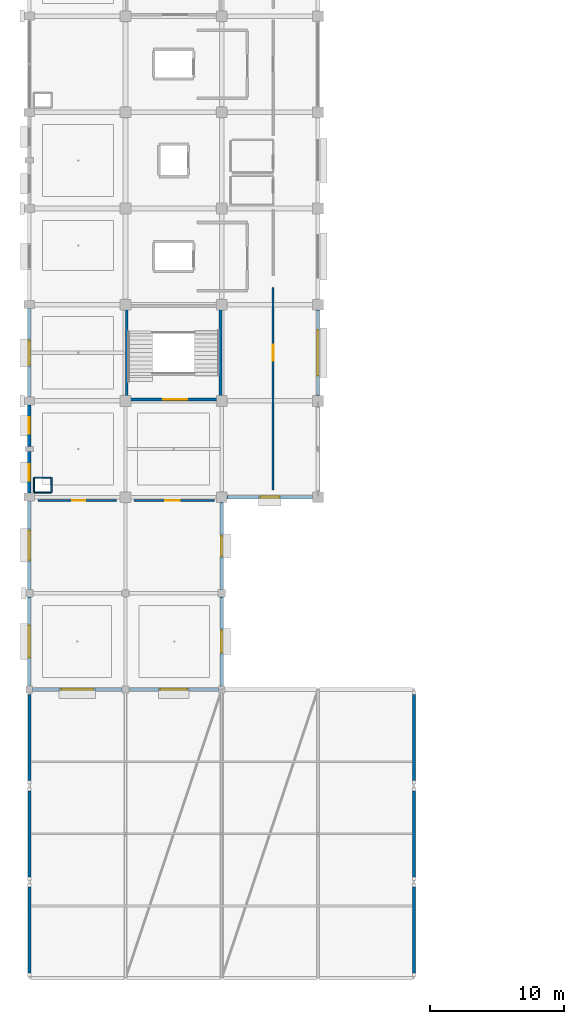
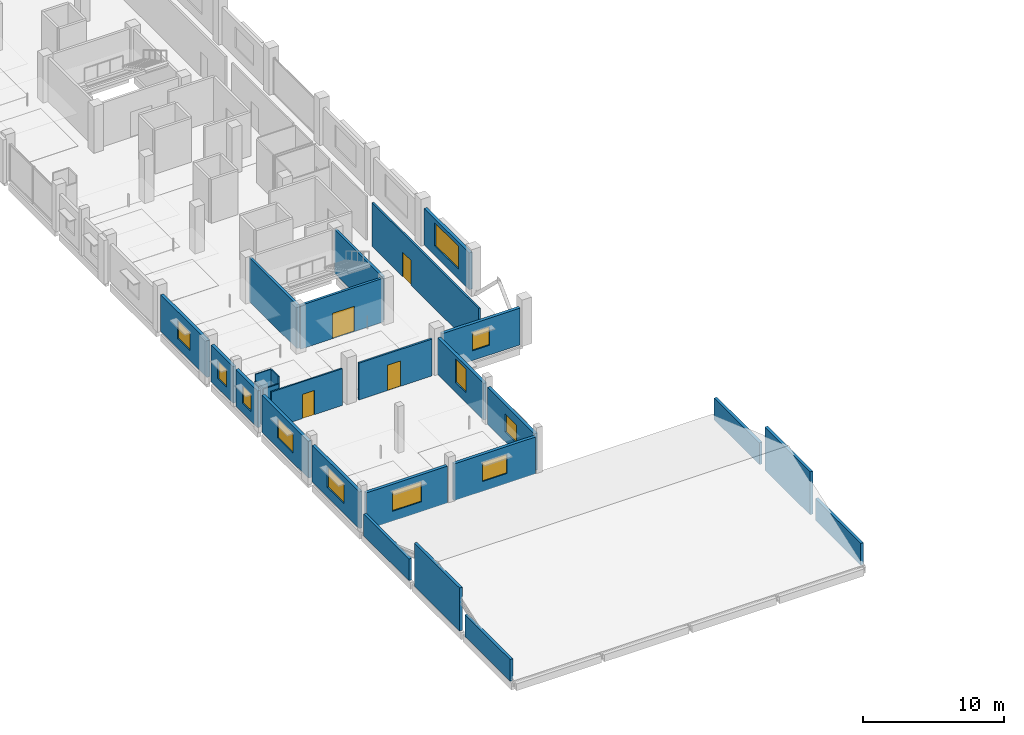
# One storey, part 79 of 108: 27 walls, 11 windows, 4 doors, 15 openings.
"""IFC4 building model written with IfcOpenShell, lengths in metres."""

import ifcopenshell
import ifcopenshell.guid

model = None  # the IFC model being written
_history = None  # IfcOwnerHistory: only IFC2X3 demands one
_inside = {}  # id of a spatial element -> (the spatial element, [elements in it])
_under = {}  # id of a project, library or spatial element -> (it, [spatial elements below it])
_declared = {}  # id of a project -> (the project, [libraries it declares])
_typed = {}  # id of a type object -> (the type object, [elements of that type])
_made_of = {}  # id of a material, layer set ... -> (it, [elements and type objects made of it])


def new_model(schema):
    """Start an empty IFC model of exactly this schema.

    Asked for "IFC4X3", IfcOpenShell would pick the latest addendum, in which some entities
    have other attributes; the version numbers below select the first issue.
    IFC2X3 requires an IfcOwnerHistory on every rooted entity: one is made here for all.
    """
    global model, _history
    if schema == "IFC4X3":
        model = ifcopenshell.file(schema_version=(4, 3, 0, 0))
    else:
        model = ifcopenshell.file(schema=schema)
    _inside.clear()
    _under.clear()
    _declared.clear()
    _typed.clear()
    _made_of.clear()
    _history = None
    if model.schema == "IFC2X3":
        org = make("IfcOrganization", Name="unknown")
        user = make(
            "IfcPersonAndOrganization",
            ThePerson=make("IfcPerson", FamilyName="unknown"),
            TheOrganization=org,
        )
        app = make(
            "IfcApplication",
            ApplicationDeveloper=org,
            Version="unknown",
            ApplicationFullName="unknown",
            ApplicationIdentifier="unknown",
        )
        _history = make(
            "IfcOwnerHistory",
            OwningUser=user,
            OwningApplication=app,
            ChangeAction="ADDED",
            CreationDate=0,
        )
    return model


def make(cls, **values):
    """One entity of the class cls with the attributes given. An attribute that is None is left unset."""
    return model.create_entity(
        cls, **{name: value for name, value in values.items() if value is not None}
    )


def rooted(cls, **values):
    """An entity with a GlobalId (a new one), such as an element, a storey or a relation."""
    return make(cls, GlobalId=ifcopenshell.guid.new(), OwnerHistory=_history, **values)


def si_unit(unit_type, name, prefix=None):
    """IfcSIUnit, for example si_unit("LENGTHUNIT", "METRE", prefix="MILLI")."""
    return make("IfcSIUnit", UnitType=unit_type, Prefix=prefix, Name=name)


def assignment(units):
    """IfcUnitAssignment: the units of a project."""
    return None if units is None else make("IfcUnitAssignment", Units=units)


def point(xyz):
    """IfcCartesianPoint."""
    return None if xyz is None else make("IfcCartesianPoint", Coordinates=xyz)


def direction(xyz):
    """IfcDirection."""
    return None if xyz is None else make("IfcDirection", DirectionRatios=xyz)


def frame(location, z_axis=None, x_axis=None):
    """IfcAxis2Placement3D, a coordinate frame: its origin and axes. An axis left out is left unset."""
    return make(
        "IfcAxis2Placement3D",
        Location=point(location),
        Axis=direction(z_axis),
        RefDirection=direction(x_axis),
    )


def frame_2d(location, x_axis=None):
    """IfcAxis2Placement2D, a coordinate frame in the plane: its origin and x axis."""
    return make(
        "IfcAxis2Placement2D", Location=point(location), RefDirection=direction(x_axis)
    )


def origin():
    """The frame at (0, 0, 0) with its axes left unset."""
    return frame((0.0, 0.0, 0.0))


def place(relative_to, where):
    """IfcLocalPlacement: puts the frame where relative to a parent placement (None: the world)."""
    return make(
        "IfcLocalPlacement", PlacementRelTo=relative_to, RelativePlacement=where
    )


def context(
    kind, dimensions, precision=None, world=None, true_north=None, identifier=None
):
    """IfcGeometricRepresentationContext, for example the 3D "Model" context."""
    return make(
        "IfcGeometricRepresentationContext",
        ContextIdentifier=identifier,
        ContextType=kind,
        CoordinateSpaceDimension=dimensions,
        Precision=precision,
        WorldCoordinateSystem=world,
        TrueNorth=true_north,
    )


def subcontext(parent, identifier, kind, view, scale=None):
    """IfcGeometricRepresentationSubContext, for example "Body" below "Model"."""
    return make(
        "IfcGeometricRepresentationSubContext",
        ContextIdentifier=identifier,
        ContextType=kind,
        ParentContext=parent,
        TargetScale=scale,
        TargetView=view,
    )


def project(units=None, contexts=None):
    """IfcProject with its units and contexts."""
    return rooted(
        "IfcProject",
        Name="project",
        RepresentationContexts=contexts,
        UnitsInContext=assignment(units),
    )


def spatial(cls, under=None, at=None, **own):
    """A site, building, storey or space (cls), placed at a placement, below another one or the project."""
    s = rooted(cls, ObjectPlacement=at, **own)
    if under is not None:
        _under.setdefault(under.id(), (under, []))[1].append(s)
    return s


def profile(cls, at=None, kind="AREA", **sizes):
    """A parametric profile (cls). Its sizes go by their IFC names, for example OverallWidth=200.0."""
    return make(cls, ProfileType=kind, Position=at, **sizes)


def rectangle(**sizes):
    """IfcRectangleProfileDef."""
    return profile("IfcRectangleProfileDef", **sizes)


def extrude(swept, where, along, depth):
    """IfcExtrudedAreaSolid: the profile swept, set in the frame where, extruded along a direction by depth."""
    return make(
        "IfcExtrudedAreaSolid",
        SweptArea=swept,
        Position=where,
        ExtrudedDirection=direction(along),
        Depth=depth,
    )


def shape(context_of_items, identifier, shape_type, items):
    """IfcShapeRepresentation: the items that make up one representation, for example the "Body"."""
    return make(
        "IfcShapeRepresentation",
        ContextOfItems=context_of_items,
        RepresentationIdentifier=identifier,
        RepresentationType=shape_type,
        Items=items,
    )


def material(Name=None, Category=None):
    """IfcMaterial."""
    return make("IfcMaterial", Name=Name, Category=Category)


def layer(
    of_material, thickness, ventilated=None, Name=None, Category=None, Priority=None
):
    """IfcMaterialLayer: one layer of a wall or slab, of a material (None: an air gap)."""
    return make(
        "IfcMaterialLayer",
        Material=of_material,
        LayerThickness=thickness,
        IsVentilated=ventilated,
        Name=Name,
        Category=Category,
        Priority=Priority,
    )


def layer_set(layers, Name=None):
    """IfcMaterialLayerSet."""
    return make("IfcMaterialLayerSet", MaterialLayers=layers, LayerSetName=Name)


def made_of(thing, what):
    """Note that an element or type object is made of a material, layer set ...; save() writes the relation."""
    if what is not None:
        _made_of.setdefault(what.id(), (what, []))[1].append(thing)
    return thing


def type_object(cls, material=None, **own):
    """A type object (cls), such as IfcWallType, which elements share."""
    return made_of(rooted(cls, **own), material)


def element(
    cls,
    number,
    at=None,
    inside=None,
    cuts=None,
    type_object=None,
    material=None,
    context=None,
    identifier="Body",
    shape_type=None,
    held_by="IfcProductDefinitionShape",
    body=None,
    shapes=None,
    **own,
):
    """One element of the class cls, such as IfcWall. Its Tag is "e" and its number.

    at: its placement. inside: the storey or other place that contains it. cuts: it is an
    opening in that element (IfcRelVoidsElement). A single representation is given by context,
    identifier, shape_type and body (its items); several are given by shapes. held_by: the class
    of the entity that holds the representations. save() writes the other relations.
    """
    e = rooted(cls, Tag="e%d" % number, ObjectPlacement=at, **own)
    if body is not None:
        shapes = [shape(context, identifier, shape_type, body)]
    if shapes is not None:
        e.Representation = make(held_by, Representations=shapes)
    if inside is not None:
        _inside.setdefault(inside.id(), (inside, []))[1].append(e)
    if cuts is not None:
        rooted(
            "IfcRelVoidsElement", RelatingBuildingElement=cuts, RelatedOpeningElement=e
        )
    if type_object is not None:
        _typed.setdefault(type_object.id(), (type_object, []))[1].append(e)
    return made_of(e, material)


def fill(opening, filler):
    """IfcRelFillsElement: the door or window that sits in an opening."""
    return rooted(
        "IfcRelFillsElement",
        RelatingOpeningElement=opening,
        RelatedBuildingElement=filler,
    )


def aggregate(whole, parts):
    """IfcRelAggregates: a whole, such as a stair, and the parts it consists of."""
    return rooted("IfcRelAggregates", RelatingObject=whole, RelatedObjects=parts)


def save(model, path):
    """Write the relations noted so far, then the file.

    IfcRelAggregates (storeys below a building ...), IfcRelContainedInSpatialStructure (elements
    in a storey), IfcRelDefinesByType, IfcRelAssociatesMaterial and IfcRelDeclares: one each for
    every whole, place, type object, material and project.
    """
    for whole, parts in _under.values():
        aggregate(whole, parts)
    for where, things in _inside.values():
        rooted(
            "IfcRelContainedInSpatialStructure",
            RelatedElements=things,
            RelatingStructure=where,
        )
    for kind, things in _typed.values():
        rooted("IfcRelDefinesByType", RelatedObjects=things, RelatingType=kind)
    for what, things in _made_of.values():
        rooted("IfcRelAssociatesMaterial", RelatedObjects=things, RelatingMaterial=what)
    for by, libraries in _declared.values():
        rooted("IfcRelDeclares", RelatingContext=by, RelatedDefinitions=libraries)
    model.write(path)


model = new_model("IFC4")

# Units and contexts
model_context = context("Model", 3, precision=1e-05, world=origin(), true_north=direction((0.0, 1.0)))
body_context = subcontext(model_context, "Body", "Model", "MODEL_VIEW")
ifc_project = project(units=[si_unit("LENGTHUNIT", "METRE"), si_unit("AREAUNIT", "SQUARE_METRE"), si_unit("VOLUMEUNIT", "CUBIC_METRE"), si_unit("PLANEANGLEUNIT", "RADIAN"), si_unit("MASSUNIT", "GRAM", prefix="KILO")], contexts=[model_context])

# Site, building, storey
site_placement = place(None, origin())
site = spatial("IfcSite", under=ifc_project, at=site_placement, CompositionType="ELEMENT")
building_placement = place(site_placement, origin())
building = spatial("IfcBuilding", under=site, at=building_placement, Name="Kangsadwip Square Police Headquarters", CompositionType="ELEMENT")
storey_placement = place(building_placement, frame((0.0, 0.0, 9.449951171875)))
storey = spatial("IfcBuildingStorey", under=building, at=storey_placement, Name="L02", CompositionType="ELEMENT", Elevation=9.449951171875)

# Wall, opening, door
ifc_material_1 = material(Name="Fire-rated double gypsum board acoustic stud partition", Category="masonry")
ifc_layer_1 = layer(ifc_material_1, 0.1201171875)
ifc_layer_set_1 = layer_set([ifc_layer_1], Name="Fire-rated double gypsum board acoustic stud partition")
wall_type_1 = type_object("IfcWallType", Name="AcousticPartition120", PredefinedType="PARTITIONING", material=ifc_layer_set_1)
wall_1_placement = place(storey_placement, frame((0.64990234375, 35.75, 0.0), z_axis=(0.0, 0.0, 1.0), x_axis=(1.0, 0.0, 0.0)))
wall_1 = element("IfcWall", 1, at=wall_1_placement, inside=storey, type_object=wall_type_1, Name="Interior Wall WI-L02-0783", PredefinedType="PARTITIONING", context=body_context, shape_type="SweptSolid", body=[
    extrude(rectangle(XDim=5.85009765625, YDim=0.1201171875, at=frame_2d((2.925048828125, 0.0))), origin(), (0.0, 0.0, 1.0), 3.199951171875),
])
opening_1_placement = place(wall_1_placement, frame((2.56396484375, 0.0, 0.0)))
opening_1 = element("IfcOpeningElement", 2, at=opening_1_placement, cuts=wall_1, Name="Opening ID-09A", PredefinedType="OPENING", context=body_context, shape_type="SweptSolid", body=[
    extrude(rectangle(XDim=0.97998046875, YDim=2.10009765625, at=frame_2d((0.489990234375, 1.050048828125))), frame((0.0, 0.070068359375, 0.0), z_axis=(0.0, -1.0, 0.0), x_axis=(1.0, 0.0, 0.0)), (0.0, 0.0, 1.0), 0.14013671875),
])
ifc_material_2 = material(Name="Solid-core seasoned teak hardwood architectural door", Category="wood")
door_type_1 = type_object("IfcDoorType", Name="OfficeDoor980x2100", OperationType="NOTDEFINED", PredefinedType="DOOR", material=ifc_material_2)
door_1_placement = place(opening_1_placement, origin())
door_1 = element("IfcDoor", 3, at=door_1_placement, inside=storey, type_object=door_type_1, Name="Interior Door ID-L02-0194", OperationType="SINGLE_SWING_RIGHT", OverallHeight=2.10009765625, OverallWidth=0.97998046875, PredefinedType="DOOR", context=body_context, shape_type="SweptSolid", body=[
    extrude(rectangle(XDim=0.97998046875, YDim=2.10009765625, at=frame_2d((0.489990234375, 1.050048828125))), frame((0.0, 0.02490234375, 0.0), z_axis=(0.0, -1.0, 0.0), x_axis=(1.0, 0.0, 0.0)), (0.0, 0.0, 1.0), 0.050048828125),
])
fill(opening_1, door_1)

ifc_material_3 = material(Name="Autoclaved aerated concrete blockwork masonry", Category="masonry")
ifc_layer_2 = layer(ifc_material_3, 0.14990234375)
ifc_layer_set_2 = layer_set([ifc_layer_2], Name="Autoclaved aerated concrete blockwork masonry")
wall_type_2 = type_object("IfcWallType", Name="BlockPartition150", PredefinedType="PARTITIONING", material=ifc_layer_set_2)
wall_2_placement = place(storey_placement, frame((18.25, 36.550048828125, 0.0), z_axis=(0.0, 0.0, 1.0), x_axis=(0.0, 1.0, 0.0)))
wall_2 = element("IfcWall", 4, at=wall_2_placement, inside=storey, type_object=wall_type_2, Name="Interior Wall WI-L02-0779", PredefinedType="PARTITIONING", context=body_context, shape_type="SweptSolid", body=[
    extrude(rectangle(XDim=15.14990234375, YDim=0.14990234375, at=frame_2d((7.574951171875, 0.0))), origin(), (0.0, 0.0, 1.0), 3.81005859375),
])
opening_2_placement = place(wall_2_placement, frame((9.639892578125, 0.0, 0.0)))
opening_2 = element("IfcOpeningElement", 5, at=opening_2_placement, cuts=wall_2, Name="Opening ID-12B", PredefinedType="OPENING", context=body_context, shape_type="SweptSolid", body=[
    extrude(rectangle(XDim=1.199951171875, YDim=2.14990234375, at=frame_2d((0.60009765625, 1.074951171875))), frame((0.0, 0.0849609375, 0.0), z_axis=(0.0, -1.0, 0.0), x_axis=(1.0, 0.0, 0.0)), (0.0, 0.0, 1.0), 0.169921875),
])
ifc_material_4 = material(Name="Solid-core seasoned teak hardwood architectural door", Category="wood")
door_type_2 = type_object("IfcDoorType", Name="ClinicDoor1200x2150", OperationType="NOTDEFINED", PredefinedType="DOOR", material=ifc_material_4)
door_2_placement = place(opening_2_placement, origin())
door_2 = element("IfcDoor", 6, at=door_2_placement, inside=storey, type_object=door_type_2, Name="Interior Door ID-L02-0191", OperationType="SINGLE_SWING_LEFT", OverallHeight=2.14990234375, OverallWidth=1.199951171875, PredefinedType="DOOR", context=body_context, shape_type="SweptSolid", body=[
    extrude(rectangle(XDim=1.199951171875, YDim=2.14990234375, at=frame_2d((0.60009765625, 1.074951171875))), frame((0.0, 0.02490234375, 0.0), z_axis=(0.0, -1.0, 0.0), x_axis=(1.0, 0.0, 0.0)), (0.0, 0.0, 1.0), 0.050048828125),
])
fill(opening_2, door_2)

wall_3_placement = place(storey_placement, frame((7.85009765625, 35.75, 0.0), z_axis=(0.0, 0.0, 1.0), x_axis=(1.0, 0.0, 0.0)))
wall_3 = element("IfcWall", 7, at=wall_3_placement, inside=storey, type_object=wall_type_2, Name="Interior Wall WI-L02-0784", PredefinedType="PARTITIONING", context=body_context, shape_type="SweptSolid", body=[
    extrude(rectangle(XDim=6.0, YDim=0.14990234375, at=frame_2d((3.0, 0.0))), origin(), (0.0, 0.0, 1.0), 3.199951171875),
])
opening_3_placement = place(wall_3_placement, frame((2.321044921875, 0.0, 0.0)))
opening_3 = element("IfcOpeningElement", 8, at=opening_3_placement, cuts=wall_3, Name="Opening FD-11A", PredefinedType="OPENING", context=body_context, shape_type="SweptSolid", body=[
    extrude(rectangle(XDim=1.10009765625, YDim=2.199951171875, at=frame_2d((0.550048828125, 1.10009765625))), frame((0.0, 0.0849609375, 0.0), z_axis=(0.0, -1.0, 0.0), x_axis=(1.0, 0.0, 0.0)), (0.0, 0.0, 1.0), 0.169921875),
])
ifc_material_5 = material(Name="Insulated galvanized steel fire-rated door assembly", Category="steel")
door_type_3 = type_object("IfcDoorType", Name="LabSingleDoor1100x2200", OperationType="NOTDEFINED", PredefinedType="DOOR", material=ifc_material_5)
door_3_placement = place(opening_3_placement, origin())
door_3 = element("IfcDoor", 9, at=door_3_placement, inside=storey, type_object=door_type_3, Name="Interior Door ID-L02-0195", OperationType="SINGLE_SWING_LEFT", OverallHeight=2.199951171875, OverallWidth=1.10009765625, PredefinedType="DOOR", context=body_context, shape_type="SweptSolid", body=[
    extrude(rectangle(XDim=1.10009765625, YDim=2.199951171875, at=frame_2d((0.550048828125, 1.10009765625))), frame((0.0, 0.02490234375, 0.0), z_axis=(0.0, -1.0, 0.0), x_axis=(1.0, 0.0, 0.0)), (0.0, 0.0, 1.0), 0.050048828125),
])
fill(opening_3, door_3)

# Wall, opening, window
ifc_material_6 = material(Name="Glazed architectural terracotta masonry rainscreen", Category="masonry")
ifc_layer_3 = layer(ifc_material_6, 0.25)
ifc_layer_set_3 = layer_set([ifc_layer_3], Name="Glazed architectural terracotta masonry rainscreen")
wall_type_3 = type_object("IfcWallType", Name="ChicagoTerracottaWall250", PredefinedType="SOLIDWALL", material=ifc_layer_set_3)
wall_4_placement = place(storey_placement, frame((0.2451171875, 21.60009765625, 0.0), z_axis=(0.0, 0.0, 1.0), x_axis=(1.0, 0.0, 0.0)))
wall_4 = element("IfcWall", 10, at=wall_4_placement, inside=storey, type_object=wall_type_3, Name="Exterior Wall WE-L02-293", PredefinedType="SOLIDWALL", context=body_context, shape_type="SweptSolid", body=[
    extrude(rectangle(XDim=6.684814453125, YDim=0.25, at=frame_2d((3.34228515625, 0.0))), origin(), (0.0, 0.0, 1.0), 3.195068359375),
])
opening_4_placement = place(wall_4_placement, frame((2.142578125, 0.0, 0.85009765625)))
opening_4 = element("IfcOpeningElement", 11, at=opening_4_placement, cuts=wall_4, Name="Opening WN-07", PredefinedType="OPENING", context=body_context, shape_type="SweptSolid", body=[
    extrude(rectangle(XDim=2.39990234375, YDim=1.75, at=frame_2d((1.199951171875, 0.875))), frame((0.0, 0.135009765625, 0.0), z_axis=(0.0, -1.0, 0.0), x_axis=(1.0, 0.0, 0.0)), (0.0, 0.0, 1.0), 0.27001953125),
])
ifc_material_7 = material(Name="Double-glazed solar-control low-E safety glass", Category="glass")
window_type_1 = type_object("IfcWindowType", Name="ChicagoDoubleMullWin2400x1750", PartitioningType="DOUBLE_PANEL_VERTICAL", PredefinedType="WINDOW", material=ifc_material_7)
window_1_placement = place(opening_4_placement, origin())
window_1 = element("IfcWindow", 12, at=window_1_placement, inside=storey, type_object=window_type_1, Name="Window WN-L02-0146", OverallHeight=1.75, OverallWidth=2.39990234375, PartitioningType="SINGLE_PANEL", PredefinedType="WINDOW", context=body_context, shape_type="SweptSolid", body=[
    extrude(rectangle(XDim=2.39990234375, YDim=1.75, at=frame_2d((1.199951171875, 0.875))), frame((0.0, 0.030029296875, 0.0), z_axis=(0.0, -1.0, 0.0), x_axis=(1.0, 0.0, 0.0)), (0.0, 0.0, 1.0), 0.06005859375),
])
fill(opening_4, window_1)

wall_5_placement = place(storey_placement, frame((7.469970703125, 21.60009765625, 0.0), z_axis=(0.0, 0.0, 1.0), x_axis=(1.0, 0.0, 0.0)))
wall_5 = element("IfcWall", 13, at=wall_5_placement, inside=storey, type_object=wall_type_3, Name="Exterior Wall WE-L02-294", PredefinedType="SOLIDWALL", context=body_context, shape_type="SweptSolid", body=[
    extrude(rectangle(XDim=6.68505859375, YDim=0.25, at=frame_2d((3.342529296875, 0.0))), origin(), (0.0, 0.0, 1.0), 3.195068359375),
])
opening_5_placement = place(wall_5_placement, frame((2.342529296875, 0.0, 0.85009765625)))
opening_5 = element("IfcOpeningElement", 14, at=opening_5_placement, cuts=wall_5, Name="Opening WN-09", PredefinedType="OPENING", context=body_context, shape_type="SweptSolid", body=[
    extrude(rectangle(XDim=2.0, YDim=1.64990234375, at=frame_2d((1.0, 0.824951171875))), frame((0.0, 0.135009765625, 0.0), z_axis=(0.0, -1.0, 0.0), x_axis=(1.0, 0.0, 0.0)), (0.0, 0.0, 1.0), 0.27001953125),
])
ifc_material_8 = material(Name="Double-glazed solar-control low-E safety glass", Category="glass")
window_type_2 = type_object("IfcWindowType", Name="ChicagoDoubleMullWin2000x1650", PartitioningType="DOUBLE_PANEL_VERTICAL", PredefinedType="WINDOW", material=ifc_material_8)
window_2_placement = place(opening_5_placement, origin())
window_2 = element("IfcWindow", 15, at=window_2_placement, inside=storey, type_object=window_type_2, Name="Window WN-L02-0147", OverallHeight=1.64990234375, OverallWidth=2.0, PartitioningType="SINGLE_PANEL", PredefinedType="WINDOW", context=body_context, shape_type="SweptSolid", body=[
    extrude(rectangle(XDim=2.0, YDim=1.64990234375, at=frame_2d((1.0, 0.824951171875))), frame((0.0, 0.030029296875, 0.0), z_axis=(0.0, -1.0, 0.0), x_axis=(1.0, 0.0, 0.0)), (0.0, 0.0, 1.0), 0.06005859375),
])
fill(opening_5, window_2)

wall_6_placement = place(storey_placement, frame((14.794921875, 36.0, 0.0), z_axis=(0.0, 0.0, 1.0), x_axis=(1.0, 0.0, 0.0)))
wall_6 = element("IfcWall", 16, at=wall_6_placement, inside=storey, type_object=wall_type_3, Name="Exterior Wall WE-L02-303", PredefinedType="SOLIDWALL", context=body_context, shape_type="SweptSolid", body=[
    extrude(rectangle(XDim=6.41015625, YDim=0.25, at=frame_2d((3.205078125, 0.0))), origin(), (0.0, 0.0, 1.0), 3.195068359375),
])
opening_6_placement = place(wall_6_placement, frame((2.5048828125, 0.0, 0.85009765625)))
opening_6 = element("IfcOpeningElement", 17, at=opening_6_placement, cuts=wall_6, Name="Opening WN-13", PredefinedType="OPENING", context=body_context, shape_type="SweptSolid", body=[
    extrude(rectangle(XDim=1.39990234375, YDim=1.60009765625, at=frame_2d((0.699951171875, 0.800048828125))), frame((0.0, 0.135009765625, 0.0), z_axis=(0.0, -1.0, 0.0), x_axis=(1.0, 0.0, 0.0)), (0.0, 0.0, 1.0), 0.27001953125),
])
ifc_material_9 = material(Name="Double-glazed solar-control low-E safety glass", Category="glass")
window_type_3 = type_object("IfcWindowType", Name="OfficeCasementWin1400x1600", PartitioningType="SINGLE_PANEL", PredefinedType="WINDOW", material=ifc_material_9)
window_3_placement = place(opening_6_placement, origin())
window_3 = element("IfcWindow", 18, at=window_3_placement, inside=storey, type_object=window_type_3, Name="Window WN-L02-0156", OverallHeight=1.60009765625, OverallWidth=1.39990234375, PartitioningType="SINGLE_PANEL", PredefinedType="WINDOW", context=body_context, shape_type="SweptSolid", body=[
    extrude(rectangle(XDim=1.39990234375, YDim=1.60009765625, at=frame_2d((0.699951171875, 0.800048828125))), frame((0.0, 0.030029296875, 0.0), z_axis=(0.0, -1.0, 0.0), x_axis=(1.0, 0.0, 0.0)), (0.0, 0.0, 1.0), 0.06005859375),
])
fill(opening_6, window_3)

wall_7_placement = place(storey_placement, frame((0.0, 21.844970703125, 0.0), z_axis=(0.0, 0.0, 1.0), x_axis=(0.0, 1.0, 0.0)))
wall_7 = element("IfcWall", 19, at=wall_7_placement, inside=storey, type_object=wall_type_3, Name="Exterior Wall WE-L02-316", PredefinedType="SOLIDWALL", context=body_context, shape_type="SweptSolid", body=[
    extrude(rectangle(XDim=6.68505859375, YDim=0.25, at=frame_2d((3.342529296875, 0.0))), origin(), (0.0, 0.0, 1.0), 3.195068359375),
])
opening_7_placement = place(wall_7_placement, frame((2.142578125, 0.0, 0.85009765625)))
opening_7 = element("IfcOpeningElement", 20, at=opening_7_placement, cuts=wall_7, Name="Opening WN-07", PredefinedType="OPENING", context=body_context, shape_type="SweptSolid", body=[
    extrude(rectangle(XDim=2.39990234375, YDim=1.75, at=frame_2d((1.199951171875, 0.875))), frame((0.0, 0.135009765625, 0.0), z_axis=(0.0, -1.0, 0.0), x_axis=(1.0, 0.0, 0.0)), (0.0, 0.0, 1.0), 0.27001953125),
])
window_4_placement = place(opening_7_placement, origin())
window_4 = element("IfcWindow", 21, at=window_4_placement, inside=storey, type_object=window_type_1, Name="Window WN-L02-0169", OverallHeight=1.75, OverallWidth=2.39990234375, PartitioningType="SINGLE_PANEL", PredefinedType="WINDOW", context=body_context, shape_type="SweptSolid", body=[
    extrude(rectangle(XDim=2.39990234375, YDim=1.75, at=frame_2d((1.199951171875, 0.875))), frame((0.0, 0.030029296875, 0.0), z_axis=(0.0, -1.0, 0.0), x_axis=(1.0, 0.0, 0.0)), (0.0, 0.0, 1.0), 0.06005859375),
])
fill(opening_7, window_4)

wall_8_placement = place(storey_placement, frame((0.0, 29.070068359375, 0.0), z_axis=(0.0, 0.0, 1.0), x_axis=(0.0, 1.0, 0.0)))
wall_8 = element("IfcWall", 22, at=wall_8_placement, inside=storey, type_object=wall_type_3, Name="Exterior Wall WE-L02-317", PredefinedType="SOLIDWALL", context=body_context, shape_type="SweptSolid", body=[
    extrude(rectangle(XDim=6.635009765625, YDim=0.25, at=frame_2d((3.3173828125, 0.0))), origin(), (0.0, 0.0, 1.0), 3.195068359375),
])
opening_8_placement = place(wall_8_placement, frame((2.217529296875, 0.0, 0.85009765625)))
opening_8 = element("IfcOpeningElement", 23, at=opening_8_placement, cuts=wall_8, Name="Opening WN-08", PredefinedType="OPENING", context=body_context, shape_type="SweptSolid", body=[
    extrude(rectangle(XDim=2.199951171875, YDim=1.699951171875, at=frame_2d((1.10009765625, 0.85009765625))), frame((0.0, 0.135009765625, 0.0), z_axis=(0.0, -1.0, 0.0), x_axis=(1.0, 0.0, 0.0)), (0.0, 0.0, 1.0), 0.27001953125),
])
ifc_material_10 = material(Name="Double-glazed solar-control low-E safety glass", Category="glass")
window_type_4 = type_object("IfcWindowType", Name="ChicagoDoubleMullWin2200x1700", PartitioningType="DOUBLE_PANEL_VERTICAL", PredefinedType="WINDOW", material=ifc_material_10)
window_5_placement = place(opening_8_placement, origin())
window_5 = element("IfcWindow", 24, at=window_5_placement, inside=storey, type_object=window_type_4, Name="Window WN-L02-0170", OverallHeight=1.699951171875, OverallWidth=2.199951171875, PartitioningType="SINGLE_PANEL", PredefinedType="WINDOW", context=body_context, shape_type="SweptSolid", body=[
    extrude(rectangle(XDim=2.199951171875, YDim=1.699951171875, at=frame_2d((1.10009765625, 0.85009765625))), frame((0.0, 0.030029296875, 0.0), z_axis=(0.0, -1.0, 0.0), x_axis=(1.0, 0.0, 0.0)), (0.0, 0.0, 1.0), 0.06005859375),
])
fill(opening_8, window_5)

wall_9_placement = place(storey_placement, frame((0.0, 36.294921875, 0.0), z_axis=(0.0, 0.0, 1.0), x_axis=(0.0, 1.0, 0.0)))
wall_9 = element("IfcWall", 25, at=wall_9_placement, inside=storey, type_object=wall_type_3, Name="Exterior Wall WE-L02-318", PredefinedType="SOLIDWALL", context=body_context, shape_type="SweptSolid", body=[
    extrude(rectangle(XDim=3.110107421875, YDim=0.25, at=frame_2d((1.55517578125, 0.0))), origin(), (0.0, 0.0, 1.0), 3.195068359375),
])
opening_9_placement = place(wall_9_placement, frame((0.929931640625, 0.0, 0.85009765625)))
opening_9 = element("IfcOpeningElement", 26, at=opening_9_placement, cuts=wall_9, Name="Opening WN-14", PredefinedType="OPENING", context=body_context, shape_type="SweptSolid", body=[
    extrude(rectangle(XDim=1.25, YDim=1.5, at=frame_2d((0.625, 0.75))), frame((0.0, 0.135009765625, 0.0), z_axis=(0.0, -1.0, 0.0), x_axis=(1.0, 0.0, 0.0)), (0.0, 0.0, 1.0), 0.27001953125),
])
ifc_material_11 = material(Name="Double-glazed solar-control low-E safety glass", Category="glass")
window_type_5 = type_object("IfcWindowType", Name="OfficeCasementWin1250x1500", PartitioningType="SINGLE_PANEL", PredefinedType="WINDOW", material=ifc_material_11)
window_6_placement = place(opening_9_placement, origin())
window_6 = element("IfcWindow", 27, at=window_6_placement, inside=storey, type_object=window_type_5, Name="Window WN-L02-0171", OverallHeight=1.5, OverallWidth=1.25, PartitioningType="SINGLE_PANEL", PredefinedType="WINDOW", context=body_context, shape_type="SweptSolid", body=[
    extrude(rectangle(XDim=1.25, YDim=1.5, at=frame_2d((0.625, 0.75))), frame((0.0, 0.030029296875, 0.0), z_axis=(0.0, -1.0, 0.0), x_axis=(1.0, 0.0, 0.0)), (0.0, 0.0, 1.0), 0.06005859375),
])
fill(opening_9, window_6)

wall_10_placement = place(storey_placement, frame((0.0, 39.794921875, 0.0), z_axis=(0.0, 0.0, 1.0), x_axis=(0.0, 1.0, 0.0)))
wall_10 = element("IfcWall", 28, at=wall_10_placement, inside=storey, type_object=wall_type_3, Name="Exterior Wall WE-L02-319", PredefinedType="SOLIDWALL", context=body_context, shape_type="SweptSolid", body=[
    extrude(rectangle(XDim=3.110107421875, YDim=0.25, at=frame_2d((1.55517578125, 0.0))), origin(), (0.0, 0.0, 1.0), 3.195068359375),
])
opening_10_placement = place(wall_10_placement, frame((0.929931640625, 0.0, 0.85009765625)))
opening_10 = element("IfcOpeningElement", 29, at=opening_10_placement, cuts=wall_10, Name="Opening WN-14", PredefinedType="OPENING", context=body_context, shape_type="SweptSolid", body=[
    extrude(rectangle(XDim=1.25, YDim=1.5, at=frame_2d((0.625, 0.75))), frame((0.0, 0.135009765625, 0.0), z_axis=(0.0, -1.0, 0.0), x_axis=(1.0, 0.0, 0.0)), (0.0, 0.0, 1.0), 0.27001953125),
])
window_7_placement = place(opening_10_placement, origin())
window_7 = element("IfcWindow", 30, at=window_7_placement, inside=storey, type_object=window_type_5, Name="Window WN-L02-0172", OverallHeight=1.5, OverallWidth=1.25, PartitioningType="SINGLE_PANEL", PredefinedType="WINDOW", context=body_context, shape_type="SweptSolid", body=[
    extrude(rectangle(XDim=1.25, YDim=1.5, at=frame_2d((0.625, 0.75))), frame((0.0, 0.030029296875, 0.0), z_axis=(0.0, -1.0, 0.0), x_axis=(1.0, 0.0, 0.0)), (0.0, 0.0, 1.0), 0.06005859375),
])
fill(opening_10, window_7)

wall_11_placement = place(storey_placement, frame((0.0, 43.4951171875, 0.0), z_axis=(0.0, 0.0, 1.0), x_axis=(0.0, 1.0, 0.0)))
wall_11 = element("IfcWall", 31, at=wall_11_placement, inside=storey, type_object=wall_type_3, Name="Exterior Wall WE-L02-320", PredefinedType="SOLIDWALL", context=body_context, shape_type="SweptSolid", body=[
    extrude(rectangle(XDim=6.60986328125, YDim=0.25, at=frame_2d((3.304931640625, 0.0))), origin(), (0.0, 0.0, 1.0), 3.195068359375),
])
opening_11_placement = place(wall_11_placement, frame((2.405029296875, 0.0, 0.85009765625)))
opening_11 = element("IfcOpeningElement", 32, at=opening_11_placement, cuts=wall_11, Name="Opening WN-10", PredefinedType="OPENING", context=body_context, shape_type="SweptSolid", body=[
    extrude(rectangle(XDim=1.800048828125, YDim=1.60009765625, at=frame_2d((0.89990234375, 0.800048828125))), frame((0.0, 0.135009765625, 0.0), z_axis=(0.0, -1.0, 0.0), x_axis=(1.0, 0.0, 0.0)), (0.0, 0.0, 1.0), 0.27001953125),
])
ifc_material_12 = material(Name="Double-glazed solar-control low-E safety glass", Category="glass")
window_type_6 = type_object("IfcWindowType", Name="LabCleanViewWin1800x1600", PartitioningType="DOUBLE_PANEL_VERTICAL", PredefinedType="WINDOW", material=ifc_material_12)
window_8_placement = place(opening_11_placement, origin())
window_8 = element("IfcWindow", 33, at=window_8_placement, inside=storey, type_object=window_type_6, Name="Window WN-L02-0173", OverallHeight=1.60009765625, OverallWidth=1.800048828125, PartitioningType="SINGLE_PANEL", PredefinedType="WINDOW", context=body_context, shape_type="SweptSolid", body=[
    extrude(rectangle(XDim=1.800048828125, YDim=1.60009765625, at=frame_2d((0.89990234375, 0.800048828125))), frame((0.0, 0.030029296875, 0.0), z_axis=(0.0, -1.0, 0.0), x_axis=(1.0, 0.0, 0.0)), (0.0, 0.0, 1.0), 0.06005859375),
])
fill(opening_11, window_8)

wall_12_placement = place(storey_placement, frame((14.39990234375, 21.844970703125, 0.0), z_axis=(0.0, 0.0, 1.0), x_axis=(0.0, 1.0, 0.0)))
wall_12 = element("IfcWall", 34, at=wall_12_placement, inside=storey, type_object=wall_type_3, Name="Exterior Wall WE-L02-330", PredefinedType="SOLIDWALL", context=body_context, shape_type="SweptSolid", body=[
    extrude(rectangle(XDim=6.68505859375, YDim=0.25, at=frame_2d((3.342529296875, 0.0))), origin(), (0.0, 0.0, 1.0), 3.195068359375),
])
opening_12_placement = place(wall_12_placement, frame((2.517578125, 0.0, 0.85009765625)))
opening_12 = element("IfcOpeningElement", 35, at=opening_12_placement, cuts=wall_12, Name="Opening WN-11", PredefinedType="OPENING", context=body_context, shape_type="SweptSolid", body=[
    extrude(rectangle(XDim=1.64990234375, YDim=1.550048828125, at=frame_2d((0.824951171875, 0.77490234375))), frame((0.0, 0.135009765625, 0.0), z_axis=(0.0, -1.0, 0.0), x_axis=(1.0, 0.0, 0.0)), (0.0, 0.0, 1.0), 0.27001953125),
])
ifc_material_13 = material(Name="Double-glazed solar-control low-E safety glass", Category="glass")
window_type_7 = type_object("IfcWindowType", Name="LabCleanViewWin1650x1550", PartitioningType="SINGLE_PANEL", PredefinedType="WINDOW", material=ifc_material_13)
window_9_placement = place(opening_12_placement, origin())
window_9 = element("IfcWindow", 36, at=window_9_placement, inside=storey, type_object=window_type_7, Name="Window WN-L02-0183", OverallHeight=1.550048828125, OverallWidth=1.64990234375, PartitioningType="SINGLE_PANEL", PredefinedType="WINDOW", context=body_context, shape_type="SweptSolid", body=[
    extrude(rectangle(XDim=1.64990234375, YDim=1.550048828125, at=frame_2d((0.824951171875, 0.77490234375))), frame((0.0, 0.030029296875, 0.0), z_axis=(0.0, -1.0, 0.0), x_axis=(1.0, 0.0, 0.0)), (0.0, 0.0, 1.0), 0.06005859375),
])
fill(opening_12, window_9)

wall_13_placement = place(storey_placement, frame((14.39990234375, 29.070068359375, 0.0), z_axis=(0.0, 0.0, 1.0), x_axis=(0.0, 1.0, 0.0)))
wall_13 = element("IfcWall", 37, at=wall_13_placement, inside=storey, type_object=wall_type_3, Name="Exterior Wall WE-L02-331", PredefinedType="SOLIDWALL", context=body_context, shape_type="SweptSolid", body=[
    extrude(rectangle(XDim=6.534912109375, YDim=0.25, at=frame_2d((3.267578125, 0.0))), origin(), (0.0, 0.0, 1.0), 3.195068359375),
])
opening_13_placement = place(wall_13_placement, frame((2.517578125, 0.0, 0.85009765625)))
opening_13 = element("IfcOpeningElement", 38, at=opening_13_placement, cuts=wall_13, Name="Opening WN-12", PredefinedType="OPENING", context=body_context, shape_type="SweptSolid", body=[
    extrude(rectangle(XDim=1.5, YDim=2.050048828125, at=frame_2d((0.75, 1.02490234375))), frame((0.0, 0.135009765625, 0.0), z_axis=(0.0, -1.0, 0.0), x_axis=(1.0, 0.0, 0.0)), (0.0, 0.0, 1.0), 0.27001953125),
])
ifc_material_14 = material(Name="Double-glazed solar-control low-E safety glass", Category="glass")
window_type_8 = type_object("IfcWindowType", Name="DirectorateTallWin1500x2050", PartitioningType="SINGLE_PANEL", PredefinedType="WINDOW", material=ifc_material_14)
window_10_placement = place(opening_13_placement, origin())
window_10 = element("IfcWindow", 39, at=window_10_placement, inside=storey, type_object=window_type_8, Name="Window WN-L02-0184", OverallHeight=2.050048828125, OverallWidth=1.5, PartitioningType="SINGLE_PANEL", PredefinedType="WINDOW", context=body_context, shape_type="SweptSolid", body=[
    extrude(rectangle(XDim=1.5, YDim=2.050048828125, at=frame_2d((0.75, 1.02490234375))), frame((0.0, 0.030029296875, 0.0), z_axis=(0.0, -1.0, 0.0), x_axis=(1.0, 0.0, 0.0)), (0.0, 0.0, 1.0), 0.06005859375),
])
fill(opening_13, window_10)

wall_14_placement = place(storey_placement, frame((21.60009765625, 43.594970703125, 0.0), z_axis=(0.0, 0.0, 1.0), x_axis=(0.0, 1.0, 0.0)))
wall_14 = element("IfcWall", 40, at=wall_14_placement, inside=storey, type_object=wall_type_3, Name="Exterior Wall WE-L02-332", PredefinedType="SOLIDWALL", context=body_context, shape_type="SweptSolid", body=[
    extrude(rectangle(XDim=6.409912109375, YDim=0.25, at=frame_2d((3.205078125, 0.0))), origin(), (0.0, 0.0, 1.0), 3.195068359375),
])
opening_14_placement = place(wall_14_placement, frame((1.5048828125, 0.0, 0.85009765625)))
opening_14 = element("IfcOpeningElement", 41, at=opening_14_placement, cuts=wall_14, Name="Opening WN-02", PredefinedType="OPENING", context=body_context, shape_type="SweptSolid", body=[
    extrude(rectangle(XDim=3.39990234375, YDim=2.0, at=frame_2d((1.699951171875, 1.0))), frame((0.0, 0.135009765625, 0.0), z_axis=(0.0, -1.0, 0.0), x_axis=(1.0, 0.0, 0.0)), (0.0, 0.0, 1.0), 0.27001953125),
])
ifc_material_15 = material(Name="Double-glazed solar-control low-E safety glass", Category="glass")
window_type_9 = type_object("IfcWindowType", Name="ChicagoTripartiteWin3400x2000", PartitioningType="TRIPLE_PANEL_HORIZONTAL", PredefinedType="WINDOW", material=ifc_material_15)
window_11_placement = place(opening_14_placement, origin())
window_11 = element("IfcWindow", 42, at=window_11_placement, inside=storey, type_object=window_type_9, Name="Window WN-L02-0185", OverallHeight=2.0, OverallWidth=3.39990234375, PartitioningType="SINGLE_PANEL", PredefinedType="WINDOW", context=body_context, shape_type="SweptSolid", body=[
    extrude(rectangle(XDim=3.39990234375, YDim=2.0, at=frame_2d((1.699951171875, 1.0))), frame((0.0, 0.030029296875, 0.0), z_axis=(0.0, -1.0, 0.0), x_axis=(1.0, 0.0, 0.0)), (0.0, 0.0, 1.0), 0.06005859375),
])
fill(opening_14, window_11)

# Walls
ifc_material_16 = material(Name="Autoclaved aerated blockwork with terracotta brick veneer", Category="masonry")
ifc_layer_4 = layer(ifc_material_16, 0.22998046875)
ifc_layer_set_4 = layer_set([ifc_layer_4], Name="Autoclaved aerated blockwork with terracotta brick veneer")
wall_type_4 = type_object("IfcWallType", Name="ClerestoryGableWall230", PredefinedType="SOLIDWALL", material=ifc_layer_set_4)
wall_15_placement = place(storey_placement, frame((0.0, 0.3798828125, -0.239990234375), z_axis=(0.0, 0.0, 1.0), x_axis=(0.0, 1.0, 0.0)))
element("IfcWall", 43, at=wall_15_placement, inside=storey, type_object=wall_type_4, Name="Exterior Wall WE-L02-624", PredefinedType="SOLIDWALL", context=body_context, shape_type="SweptSolid", body=[
    extrude(rectangle(XDim=6.440185546875, YDim=0.22998046875, at=frame_2d((3.22021484375, 0.0))), origin(), (0.0, 0.0, 1.0), 1.89013671875),
])
wall_16_placement = place(storey_placement, frame((0.0, 7.580078125, -0.239990234375), z_axis=(0.0, 0.0, 1.0), x_axis=(0.0, 1.0, 0.0)))
element("IfcWall", 44, at=wall_16_placement, inside=storey, type_object=wall_type_4, Name="Exterior Wall WE-L02-625", PredefinedType="SOLIDWALL", context=body_context, shape_type="SweptSolid", body=[
    extrude(rectangle(XDim=6.43994140625, YDim=0.22998046875, at=frame_2d((3.219970703125, 0.0))), origin(), (0.0, 0.0, 1.0), 3.739990234375),
])
wall_17_placement = place(storey_placement, frame((0.0, 14.780029296875, -0.239990234375), z_axis=(0.0, 0.0, 1.0), x_axis=(0.0, 1.0, 0.0)))
element("IfcWall", 45, at=wall_17_placement, inside=storey, type_object=wall_type_4, Name="Exterior Wall WE-L02-626", PredefinedType="SOLIDWALL", context=body_context, shape_type="SweptSolid", body=[
    extrude(rectangle(XDim=6.43994140625, YDim=0.22998046875, at=frame_2d((3.219970703125, 0.0))), origin(), (0.0, 0.0, 1.0), 1.89013671875),
])
wall_18_placement = place(storey_placement, frame((28.800048828125, 0.3798828125, -0.239990234375), z_axis=(0.0, 0.0, 1.0), x_axis=(0.0, 1.0, 0.0)))
element("IfcWall", 46, at=wall_18_placement, inside=storey, type_object=wall_type_4, Name="Exterior Wall WE-L02-627", PredefinedType="SOLIDWALL", context=body_context, shape_type="SweptSolid", body=[
    extrude(rectangle(XDim=6.440185546875, YDim=0.22998046875, at=frame_2d((3.22021484375, 0.0))), origin(), (0.0, 0.0, 1.0), 1.89013671875),
])
wall_19_placement = place(storey_placement, frame((28.800048828125, 7.580078125, -0.239990234375), z_axis=(0.0, 0.0, 1.0), x_axis=(0.0, 1.0, 0.0)))
element("IfcWall", 47, at=wall_19_placement, inside=storey, type_object=wall_type_4, Name="Exterior Wall WE-L02-628", PredefinedType="SOLIDWALL", context=body_context, shape_type="SweptSolid", body=[
    extrude(rectangle(XDim=6.43994140625, YDim=0.22998046875, at=frame_2d((3.219970703125, 0.0))), origin(), (0.0, 0.0, 1.0), 3.739990234375),
])
wall_20_placement = place(storey_placement, frame((28.800048828125, 14.780029296875, -0.239990234375), z_axis=(0.0, 0.0, 1.0), x_axis=(0.0, 1.0, 0.0)))
element("IfcWall", 48, at=wall_20_placement, inside=storey, type_object=wall_type_4, Name="Exterior Wall WE-L02-629", PredefinedType="SOLIDWALL", context=body_context, shape_type="SweptSolid", body=[
    extrude(rectangle(XDim=6.43994140625, YDim=0.22998046875, at=frame_2d((3.219970703125, 0.0))), origin(), (0.0, 0.0, 1.0), 1.89013671875),
])

# Wall, opening, door
ifc_material_17 = material(Name="Concrete M40 (40 MPa)", Category="concrete")
ifc_layer_5 = layer(ifc_material_17, 0.199951171875)
ifc_layer_set_5 = layer_set([ifc_layer_5], Name="Concrete M40 (40 MPa)")
wall_type_5 = type_object("IfcWallType", Name="CoreShearWall200", PredefinedType="SHEAR", material=ifc_layer_set_5)
wall_21_placement = place(storey_placement, frame((7.39990234375, 43.300048828125, 0.0), z_axis=(0.0, 0.0, 1.0), x_axis=(1.0, 0.0, 0.0)))
wall_21 = element("IfcWall", 49, at=wall_21_placement, inside=storey, type_object=wall_type_5, Name="Interior Wall WI-L02-0021", PredefinedType="SHEAR", context=body_context, shape_type="SweptSolid", body=[
    extrude(rectangle(XDim=6.800048828125, YDim=0.199951171875, at=frame_2d((3.39990234375, 0.0))), origin(), (0.0, 0.0, 1.0), 3.81005859375),
])
opening_15_placement = place(wall_21_placement, frame((2.632080078125, 0.0, 0.0)))
opening_15 = element("IfcOpeningElement", 50, at=opening_15_placement, cuts=wall_21, Name="Opening FD-18", PredefinedType="OPENING", context=body_context, shape_type="SweptSolid", body=[
    extrude(rectangle(XDim=1.800048828125, YDim=2.199951171875, at=frame_2d((0.89990234375, 1.10009765625))), frame((0.0, 0.10986328125, 0.0), z_axis=(0.0, -1.0, 0.0), x_axis=(1.0, 0.0, 0.0)), (0.0, 0.0, 1.0), 0.219970703125),
])
ifc_material_18 = material(Name="Insulated galvanized steel fire-rated door assembly", Category="steel")
door_type_4 = type_object("IfcDoorType", Name="StairFireDoor1800x2200", OperationType="DOUBLE_DOOR_SINGLE_SWING", PredefinedType="DOOR", material=ifc_material_18)
door_4_placement = place(opening_15_placement, origin())
door_4 = element("IfcDoor", 51, at=door_4_placement, inside=storey, type_object=door_type_4, Name="Interior Door ID-L02-0004", OperationType="DOUBLE_DOOR_SINGLE_SWING", OverallHeight=2.199951171875, OverallWidth=1.800048828125, PredefinedType="DOOR", context=body_context, shape_type="SweptSolid", body=[
    extrude(rectangle(XDim=1.800048828125, YDim=2.199951171875, at=frame_2d((0.89990234375, 1.10009765625))), frame((0.0, 0.02490234375, 0.0), z_axis=(0.0, -1.0, 0.0), x_axis=(1.0, 0.0, 0.0)), (0.0, 0.0, 1.0), 0.050048828125),
])
fill(opening_15, door_4)

# Walls
for number, where, z_axis, x_axis, name in (
    (52, (7.300048828125, 43.39990234375, 0.0), (0.0, 0.0, 1.0), (0.0, 1.0, 0.0), "Interior Wall WI-L02-0023"),
    (53, (14.300048828125, 43.39990234375, 0.0), (0.0, 0.0, 1.0), (0.0, 1.0, 0.0), "Interior Wall WI-L02-0024"),
):
    element("IfcWall", number, at=place(storey_placement, frame(where, z_axis=z_axis, x_axis=x_axis)), inside=storey, type_object=wall_type_5, Name=name, PredefinedType="SHEAR", context=body_context, shape_type="SweptSolid", body=[
        extrude(rectangle(XDim=6.800048828125, YDim=0.199951171875, at=frame_2d((3.39990234375, 0.0))), origin(), (0.0, 0.0, 1.0), 3.81005859375),
    ])
ifc_material_19 = material(Name="Autoclaved aerated concrete blockwork masonry", Category="masonry")
ifc_layer_6 = layer(ifc_material_19, 0.10009765625)
ifc_layer_set_6 = layer_set([ifc_layer_6], Name="Autoclaved aerated concrete blockwork masonry")
wall_type_6 = type_object("IfcWallType", Name="WetWallPartition100", PredefinedType="PARTITIONING", material=ifc_layer_set_6)
wall_22_placement = place(storey_placement, frame((0.35009765625, 36.35009765625, 0.0), z_axis=(0.0, 0.0, 1.0), x_axis=(1.0, 0.0, 0.0)))
element("IfcWall", 54, at=wall_22_placement, inside=storey, type_object=wall_type_6, Name="Interior Wall WI-L02-0523", PredefinedType="PARTITIONING", context=body_context, shape_type="SweptSolid", body=[
    extrude(rectangle(XDim=1.2998046875, YDim=0.10009765625, at=frame_2d((0.64990234375, 0.0))), origin(), (0.0, 0.0, 1.0), 3.199951171875),
])
wall_23_placement = place(storey_placement, frame((0.35009765625, 37.449951171875, 0.0), z_axis=(0.0, 0.0, 1.0), x_axis=(1.0, 0.0, 0.0)))
element("IfcWall", 55, at=wall_23_placement, inside=storey, type_object=wall_type_6, Name="Interior Wall WI-L02-0524", PredefinedType="PARTITIONING", context=body_context, shape_type="SweptSolid", body=[
    extrude(rectangle(XDim=1.2998046875, YDim=0.10009765625, at=frame_2d((0.64990234375, 0.0))), origin(), (0.0, 0.0, 1.0), 3.81005859375),
])
wall_24_placement = place(storey_placement, frame((0.35009765625, 36.35009765625, 0.0), z_axis=(0.0, 0.0, 1.0), x_axis=(0.0, 1.0, 0.0)))
element("IfcWall", 56, at=wall_24_placement, inside=storey, type_object=wall_type_6, Name="Interior Wall WI-L02-0525", PredefinedType="PARTITIONING", context=body_context, shape_type="SweptSolid", body=[
    extrude(rectangle(XDim=1.099853515625, YDim=0.10009765625, at=frame_2d((0.5498046875, 0.0))), origin(), (0.0, 0.0, 1.0), 3.199951171875),
])
wall_25_placement = place(storey_placement, frame((1.64990234375, 36.35009765625, 0.0), z_axis=(0.0, 0.0, 1.0), x_axis=(0.0, 1.0, 0.0)))
element("IfcWall", 57, at=wall_25_placement, inside=storey, type_object=wall_type_6, Name="Interior Wall WI-L02-0526", PredefinedType="PARTITIONING", context=body_context, shape_type="SweptSolid", body=[
    extrude(rectangle(XDim=1.099853515625, YDim=0.10009765625, at=frame_2d((0.5498046875, 0.0))), origin(), (0.0, 0.0, 1.0), 3.81005859375),
])

save(model, "model.ifc")
